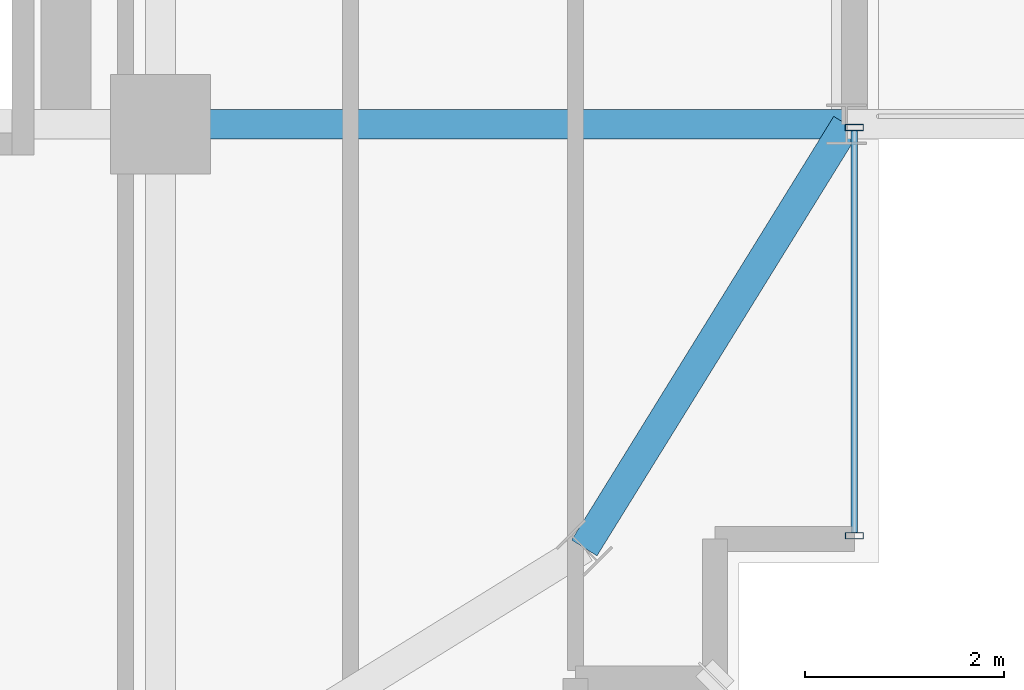
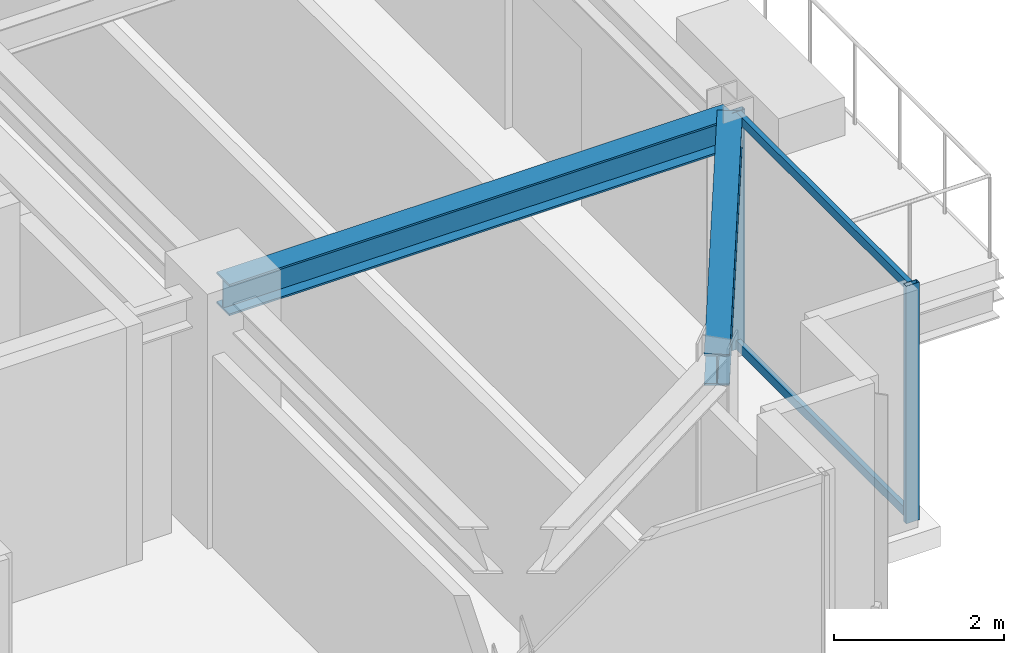
# One storey, part 13 of 43: 4 members, 2 beams, 1 element without a shape of its own.
"""IFC4 building model written with IfcOpenShell, lengths in metres."""

from ifc_helpers import new_model, si_unit, direction, frame, origin, origin_2d, place, context, subcontext, project, spatial, hollow_rectangle, i_section, extrude, source, transform, mapped, material, material_profile, profile_set, type_object, element, aggregate, save


model = new_model("IFC4")

# Units and contexts
model_context = context("Model", 3, precision=1e-05, world=origin(), true_north=direction((0.0, 1.0)))
body_context = subcontext(model_context, "Body", "Model", "MODEL_VIEW")
ifc_project = project(units=[si_unit("LENGTHUNIT", "METRE"), si_unit("AREAUNIT", "SQUARE_METRE"), si_unit("VOLUMEUNIT", "CUBIC_METRE"), si_unit("PLANEANGLEUNIT", "RADIAN"), si_unit("MASSUNIT", "GRAM", prefix="KILO")], contexts=[model_context])

# Site, building, storey
site_placement = place(None, origin())
site = spatial("IfcSite", under=ifc_project, at=site_placement, CompositionType="ELEMENT")
building_placement = place(site_placement, origin())
building = spatial("IfcBuilding", under=site, at=building_placement, Name="Nahalor Promenade Grand Hotel", CompositionType="ELEMENT")
storey_placement = place(building_placement, frame((0.0, 0.0, 204.89990234375)))
storey = spatial("IfcBuildingStorey", under=building, at=storey_placement, Name="L52", CompositionType="ELEMENT", Elevation=204.89990234375)

# Beams
ifc_material_1 = material(Name="Steel S355JR", Category="steel")
ifc_material_profile_1 = material_profile(ifc_material_1, i_section(OverallWidth=0.3, OverallDepth=0.45, WebThickness=0.014, FlangeThickness=0.026, at=origin_2d()), Name="HEB 450")
ifc_profile_set_1 = profile_set([ifc_material_profile_1], Name="Steel S355JR")
beam_type_1 = type_object("IfcBeamType", Name="Beam-Spandrel-HEB450", PredefinedType="SPANDREL", material=ifc_profile_set_1)
shared_shape_1 = source(origin(), body_context, "Body", "SweptSolid", [
    extrude(i_section(OverallWidth=0.3, OverallDepth=0.45, WebThickness=0.014, FlangeThickness=0.026, at=origin_2d()), origin(), (0.0, 0.0, 1.0), 4.997802734375),
])
beam_1_placement = place(storey_placement, frame((21.25, -21.25, 3.18505859375), z_axis=(0.526199891161, 0.850360908404, 0.0), x_axis=(-0.850360908404, 0.526199891161, 0.0)))
element("IfcBeam", 1, at=beam_1_placement, inside=storey, type_object=beam_type_1, Name="BM-L52-SPC-SE-2", PredefinedType="SPANDREL", context=body_context, shape_type="MappedRepresentation", body=[
    mapped(shared_shape_1, transform((0.0, 0.0, 0.0), scale=1.0)),
])
ifc_material_profile_2 = material_profile(ifc_material_1, i_section(OverallWidth=0.3, OverallDepth=0.45, WebThickness=0.014, FlangeThickness=0.026, at=origin_2d()), Name="HEB 450")
ifc_profile_set_2 = profile_set([ifc_material_profile_2], Name="Steel S355JR")
beam_type_2 = type_object("IfcBeamType", Name="Beam-Girder-HEB450", PredefinedType="BEAM", material=ifc_profile_set_2)
shared_shape_2 = source(origin(), body_context, "Body", "SweptSolid", [
    extrude(i_section(OverallWidth=0.3, OverallDepth=0.45, WebThickness=0.014, FlangeThickness=0.026, at=origin_2d()), origin(), (0.0, 0.0, 1.0), 6.8798828125),
])
beam_2_placement = place(storey_placement, frame((17.0, -17.0, 3.18505859375), z_axis=(1.0, 0.0, 0.0), x_axis=(0.0, 1.0, 0.0)))
element("IfcBeam", 2, at=beam_2_placement, inside=storey, type_object=beam_type_2, Name="BM-L52-GX-0-6", PredefinedType="BEAM", context=body_context, shape_type="MappedRepresentation", body=[
    mapped(shared_shape_2, transform((0.0, 0.0, 0.0), scale=1.0)),
])

# Curtain wall, members
ifc_material_2 = material(Name="Anodised Bronze Aluminium EN AW-6063 T6", Category="aluminium")
curtain_wall_type = type_object("IfcCurtainWallType", Name="CW2 Typical Hotel Flush Bronze Unitised Curtain Wall", PredefinedType="USERDEFINED", material=ifc_material_2)
curtain_wall_placement = place(storey_placement, origin())
curtain_wall = element("IfcCurtainWall", 3, at=curtain_wall_placement, inside=storey, type_object=curtain_wall_type, Name="L52 Curtain Wall CW-L52-E-1", ObjectType="UNITISED_CURTAIN_WALL", PredefinedType="USERDEFINED")
ifc_material_profile_3 = material_profile(ifc_material_2, hollow_rectangle(XDim=0.065, YDim=0.18, WallThickness=0.004, at=origin_2d()), Name="CWM 65x180x4")
ifc_profile_set_3 = profile_set([ifc_material_profile_3], Name="Anodised Bronze Aluminium EN AW-6063 T6")
member_type_1 = type_object("IfcMemberType", Name="CWM2 Typical Bronze Mullion 65x180", PredefinedType="MULLION", material=ifc_profile_set_3)
shared_shape_3 = source(origin(), body_context, "Body", "SweptSolid", [
    extrude(hollow_rectangle(XDim=0.065, YDim=0.18, WallThickness=0.004, at=origin_2d()), origin(), (0.0, 0.0, 1.0), 3.41015625),
])
member_1_placement = place(storey_placement, frame((23.9599609375, -21.12744140625, 0.0), z_axis=(0.0, 0.0, 1.0), x_axis=(0.0, 1.0, 0.0)))
member_1 = element("IfcMember", 4, at=member_1_placement, type_object=member_type_1, Name="CW-L52-E-1 Mullion 0", PredefinedType="MULLION", context=body_context, shape_type="MappedRepresentation", body=[
    mapped(shared_shape_3, transform((0.0, 0.0, 0.0), scale=1.0)),
])
member_2_placement = place(storey_placement, frame((23.9599609375, -17.032470703125, 0.0), z_axis=(0.0, 0.0, 1.0), x_axis=(0.0, 1.0, 0.0)))
member_2 = element("IfcMember", 5, at=member_2_placement, type_object=member_type_1, Name="CW-L52-E-1 Mullion 1", PredefinedType="MULLION", context=body_context, shape_type="MappedRepresentation", body=[
    mapped(shared_shape_3, transform((0.0, 0.0, 0.0), scale=1.0)),
])
ifc_material_profile_4 = material_profile(ifc_material_2, hollow_rectangle(XDim=0.065, YDim=0.13, WallThickness=0.004, at=origin_2d()), Name="CWT 65x130x4")
ifc_profile_set_4 = profile_set([ifc_material_profile_4], Name="Anodised Bronze Aluminium EN AW-6063 T6")
member_type_2 = type_object("IfcMemberType", Name="CWT2 Typical Bronze Transom 65x130", PredefinedType="USERDEFINED", material=ifc_profile_set_4)
shared_shape_4 = source(origin(), body_context, "Body", "SweptSolid", [
    extrude(hollow_rectangle(XDim=0.065, YDim=0.13, WallThickness=0.004, at=origin_2d()), origin(), (0.0, 0.0, 1.0), 4.030029296875),
])
member_3_placement = place(storey_placement, frame((23.9599609375, -21.094970703125, 0.065185546875), z_axis=(0.0, 1.0, 0.0), x_axis=(-1.0, 0.0, 0.0)))
member_3 = element("IfcMember", 6, at=member_3_placement, type_object=member_type_2, Name="CW-L52-E-1 Transom 0-0", ObjectType="TRANSOM", PredefinedType="USERDEFINED", context=body_context, shape_type="MappedRepresentation", body=[
    mapped(shared_shape_4, transform((0.0, 0.0, 0.0), scale=1.0)),
])
member_4_placement = place(storey_placement, frame((23.9599609375, -21.094970703125, 3.34521484375), z_axis=(0.0, 1.0, 0.0), x_axis=(-1.0, 0.0, 0.0)))
member_4 = element("IfcMember", 7, at=member_4_placement, type_object=member_type_2, Name="CW-L52-E-1 Transom 0-1", ObjectType="TRANSOM", PredefinedType="USERDEFINED", context=body_context, shape_type="MappedRepresentation", body=[
    mapped(shared_shape_4, transform((0.0, 0.0, 0.0), scale=1.0)),
])
aggregate(curtain_wall, [member_1, member_2, member_3, member_4])

save(model, "model.ifc")
